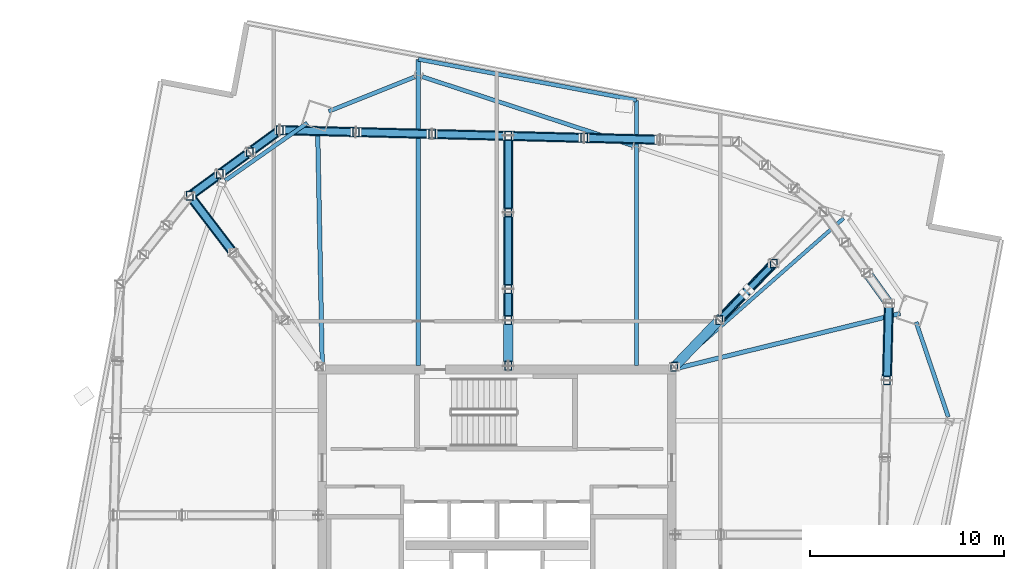
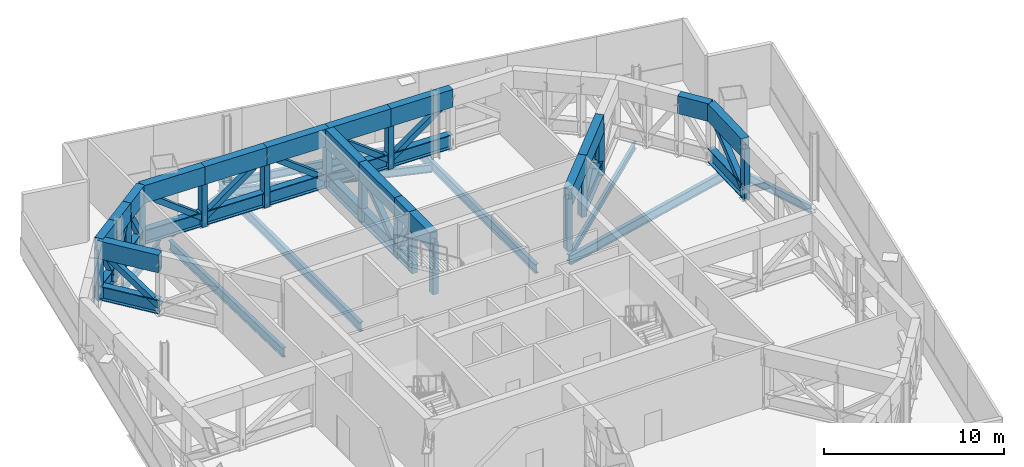
# One storey, part 4 of 15: 63 members, 10 beams.
"""IFC4 building model written with IfcOpenShell, lengths in metres."""

from ifc_helpers import new_model, si_unit, direction, frame, origin, origin_2d, place, context, subcontext, project, spatial, hollow_rectangle, hollow_circle, i_section, extrude, material, material_profile, profile_set, type_object, element, save


model = new_model("IFC4")

# Units and contexts
model_context = context("Model", 3, precision=1e-05, world=origin(), true_north=direction((0.0, 1.0)))
body_context = subcontext(model_context, "Body", "Model", "MODEL_VIEW")
ifc_project = project(units=[si_unit("LENGTHUNIT", "METRE"), si_unit("AREAUNIT", "SQUARE_METRE"), si_unit("VOLUMEUNIT", "CUBIC_METRE"), si_unit("PLANEANGLEUNIT", "RADIAN"), si_unit("MASSUNIT", "GRAM", prefix="KILO")], contexts=[model_context])

# Site, building, storey
site_placement = place(None, origin())
site = spatial("IfcSite", under=ifc_project, at=site_placement, CompositionType="ELEMENT")
building_placement = place(site_placement, origin())
building = spatial("IfcBuilding", under=site, at=building_placement, Name="Haldenkirk Collegiate Tower", CompositionType="ELEMENT")
storey_placement = place(building_placement, frame((0.0, 0.0, 293.699951171875)))
storey = spatial("IfcBuildingStorey", under=building, at=storey_placement, Name="L74", CompositionType="ELEMENT", Elevation=293.699951171875)

# Beams
ifc_material_1 = material(Name="Steel ASTM A992 Grade 50", Category="steel")
ifc_material_profile_1 = material_profile(ifc_material_1, i_section(OverallWidth=0.22998046875, OverallDepth=0.616943359375, WebThickness=0.01318359375, FlangeThickness=0.022216796875, at=origin_2d()), Name="W24X94")
ifc_profile_set_1 = profile_set([ifc_material_profile_1], Name="Steel ASTM A992 Grade 50")
beam_type_1 = type_object("IfcBeamType", Name="BM-GIRDER-W24X94", PredefinedType="BEAM", material=ifc_profile_set_1)
beam_1_placement = place(storey_placement, frame((56.783935546875, 36.893310546875, -0.718505859375), z_axis=(-0.971153636509, -0.238454637815, 0.0), x_axis=(0.238454637815, -0.971153636509, 0.0)))
element("IfcBeam", 1, at=beam_1_placement, inside=storey, type_object=beam_type_1, Name="L74 primary floor girder 02", PredefinedType="BEAM", context=body_context, shape_type="SweptSolid", body=[
    extrude(i_section(OverallWidth=0.22998046875, OverallDepth=0.616943359375, WebThickness=0.01318359375, FlangeThickness=0.022216796875, at=origin_2d()), origin(), (0.0, 0.0, 1.0), 11.9287109375),
])
beam_2_placement = place(storey_placement, frame((26.75732421875, 46.443603515625, -0.718505859375), z_axis=(0.019505953171, -0.999809740796, 0.0), x_axis=(0.999809740796, 0.019505953171, 0.0)))
element("IfcBeam", 2, at=beam_2_placement, inside=storey, type_object=beam_type_1, Name="L74 primary floor girder 03", PredefinedType="BEAM", context=body_context, shape_type="SweptSolid", body=[
    extrude(i_section(OverallWidth=0.22998046875, OverallDepth=0.616943359375, WebThickness=0.01318359375, FlangeThickness=0.022216796875, at=origin_2d()), origin(), (0.0, 0.0, 1.0), 12.240966796875),
])
beam_3_placement = place(storey_placement, frame((43.18994140625, 47.878173828125, -0.718505859375), z_axis=(0.0, -1.0, 0.0), x_axis=(1.0, 0.0, 0.0)))
element("IfcBeam", 3, at=beam_3_placement, inside=storey, type_object=beam_type_1, Name="L74 primary floor girder 09", PredefinedType="BEAM", context=body_context, shape_type="SweptSolid", body=[
    extrude(i_section(OverallWidth=0.22998046875, OverallDepth=0.616943359375, WebThickness=0.01318359375, FlangeThickness=0.022216796875, at=origin_2d()), origin(), (0.0, 0.0, 1.0), 13.673095703125),
])
beam_4_placement = place(storey_placement, frame((31.949462890625, 49.991943359375, -0.718505859375), z_axis=(0.0, -1.0, 0.0), x_axis=(1.0, 0.0, 0.0)))
element("IfcBeam", 4, at=beam_4_placement, inside=storey, type_object=beam_type_1, Name="L74 primary floor girder 10", PredefinedType="BEAM", context=body_context, shape_type="SweptSolid", body=[
    extrude(i_section(OverallWidth=0.22998046875, OverallDepth=0.616943359375, WebThickness=0.01318359375, FlangeThickness=0.022216796875, at=origin_2d()), origin(), (0.0, 0.0, 1.0), 15.786865234375),
])
ifc_material_profile_2 = material_profile(ifc_material_1, i_section(OverallWidth=0.18994140625, OverallDepth=0.45703125, WebThickness=0.009033203125, FlangeThickness=0.014404296875, at=origin_2d()), Name="W18X50")
ifc_profile_set_2 = profile_set([ifc_material_profile_2], Name="Steel ASTM A992 Grade 50")
beam_type_2 = type_object("IfcBeamType", Name="BM-JOIST-W18X50", PredefinedType="JOIST", material=ifc_profile_set_2)
beam_5_placement = place(storey_placement, frame((53.865966796875, 41.802734375, -0.638427734375), z_axis=(-0.750690564018, -0.660653976825, 0.0), x_axis=(0.660653976825, -0.750690564018, 0.0)))
element("IfcBeam", 5, at=beam_5_placement, inside=storey, type_object=beam_type_2, Name="L74 composite floor joist 08", PredefinedType="JOIST", context=body_context, shape_type="SweptSolid", body=[
    extrude(i_section(OverallWidth=0.18994140625, OverallDepth=0.45703125, WebThickness=0.009033203125, FlangeThickness=0.014404296875, at=origin_2d()), origin(), (0.0, 0.0, 1.0), 11.60546875),
])
ifc_material_profile_3 = material_profile(ifc_material_1, i_section(OverallWidth=0.2099609375, OverallDepth=0.537109375, WebThickness=0.010986328125, FlangeThickness=0.017333984375, at=origin_2d()), Name="W21X68")
ifc_profile_set_3 = profile_set([ifc_material_profile_3], Name="Steel ASTM A992 Grade 50")
beam_type_3 = type_object("IfcBeamType", Name="BM-SPANDREL-W21X68", PredefinedType="SPANDREL", material=ifc_profile_set_3)
beam_6_placement = place(storey_placement, frame((59.258544921875, 31.5517578125, -0.678466796875), z_axis=(-0.321225245884, 0.947002820168, 0.0), x_axis=(-0.947002820168, -0.321225245884, 0.0)))
element("IfcBeam", 6, at=beam_6_placement, inside=storey, type_object=beam_type_3, Name="L74 perimeter spandrel beam 04", PredefinedType="SPANDREL", context=body_context, shape_type="SweptSolid", body=[
    extrude(i_section(OverallWidth=0.2099609375, OverallDepth=0.537109375, WebThickness=0.010986328125, FlangeThickness=0.017333984375, at=origin_2d()), origin(), (0.0, 0.0, 1.0), 5.1689453125),
])
beam_7_placement = place(storey_placement, frame((42.99755859375, 45.54296875, -0.678466796875), z_axis=(-0.950408846531, 0.311003254701, 0.0), x_axis=(-0.311003254701, -0.950408846531, 0.0)))
element("IfcBeam", 7, at=beam_7_placement, inside=storey, type_object=beam_type_3, Name="L74 perimeter spandrel beam 07", PredefinedType="SPANDREL", context=body_context, shape_type="SweptSolid", body=[
    extrude(i_section(OverallWidth=0.2099609375, OverallDepth=0.537109375, WebThickness=0.010986328125, FlangeThickness=0.017333984375, at=origin_2d()), origin(), (0.0, 0.0, 1.0), 11.421875),
])
beam_8_placement = place(storey_placement, frame((31.761474609375, 49.0830078125, -0.678466796875), z_axis=(-0.928296709602, -0.371840313768, 0.0), x_axis=(0.371840313768, -0.928296709602, 0.0)))
element("IfcBeam", 8, at=beam_8_placement, inside=storey, type_object=beam_type_3, Name="L74 perimeter spandrel beam 08", PredefinedType="SPANDREL", context=body_context, shape_type="SweptSolid", body=[
    extrude(i_section(OverallWidth=0.2099609375, OverallDepth=0.537109375, WebThickness=0.010986328125, FlangeThickness=0.017333984375, at=origin_2d()), origin(), (0.0, 0.0, 1.0), 4.77392578125),
])
beam_9_placement = place(storey_placement, frame((26.22900390625, 46.7119140625, -0.678466796875), z_axis=(-0.818927819185, -0.573896529842, 0.0), x_axis=(0.573896529842, -0.818927819185, 0.0)))
element("IfcBeam", 9, at=beam_9_placement, inside=storey, type_object=beam_type_3, Name="L74 perimeter spandrel beam 09", PredefinedType="SPANDREL", context=body_context, shape_type="SweptSolid", body=[
    extrude(i_section(OverallWidth=0.2099609375, OverallDepth=0.537109375, WebThickness=0.010986328125, FlangeThickness=0.017333984375, at=origin_2d()), origin(), (0.0, 0.0, 1.0), 5.169189453125),
])
beam_10_placement = place(storey_placement, frame((43.18994140625, 47.878173828125, -0.678466796875), z_axis=(-0.982774180636, 0.184810470145, 0.0), x_axis=(-0.184810470145, -0.982774180636, 0.0)))
element("IfcBeam", 10, at=beam_10_placement, inside=storey, type_object=beam_type_3, Name="L74 outer facade edge beam 2", PredefinedType="SPANDREL", context=body_context, shape_type="SweptSolid", body=[
    extrude(i_section(OverallWidth=0.2099609375, OverallDepth=0.537109375, WebThickness=0.010986328125, FlangeThickness=0.017333984375, at=origin_2d()), origin(), (0.0, 0.0, 1.0), 11.4375),
])

# Members
ifc_material_2 = material(Name="Steel ASTM A572 Grade 50", Category="steel")
ifc_material_profile_4 = material_profile(ifc_material_2, hollow_rectangle(XDim=0.5, YDim=1.199951171875, WallThickness=0.050048828125, at=origin_2d()), Name="BOX1200X500X50")
ifc_profile_set_4 = profile_set([ifc_material_profile_4], Name="Steel ASTM A572 Grade 50")
member_type_1 = type_object("IfcMemberType", Name="MBR-CHORD-BOX1200", PredefinedType="CHORD", material=ifc_profile_set_4)
member_1_placement = place(storey_placement, frame((45.138671875, 34.144287109375, 3.5), z_axis=(0.692918596735, 0.721015823889, 0.0), x_axis=(-0.721015823889, 0.692918596735, 0.0)))
element("IfcMember", 11, at=member_1_placement, inside=storey, type_object=member_type_1, Name="Outrigger Truss L74 Radial 02 top chord 1", PredefinedType="CHORD", context=body_context, shape_type="SweptSolid", body=[
    extrude(hollow_rectangle(XDim=0.5, YDim=1.199951171875, WallThickness=0.050048828125, at=origin_2d()), origin(), (0.0, 0.0, 1.0), 3.336669921875),
])
member_2_placement = place(storey_placement, frame((47.45068359375, 36.550048828125, 3.5), z_axis=(0.692942331395, 0.720993013392, 0.0), x_axis=(-0.720993013392, 0.692942331395, 0.0)))
element("IfcMember", 12, at=member_2_placement, inside=storey, type_object=member_type_1, Name="Outrigger Truss L74 Radial 02 top chord 2", PredefinedType="CHORD", context=body_context, shape_type="SweptSolid", body=[
    extrude(hollow_rectangle(XDim=0.5, YDim=1.199951171875, WallThickness=0.050048828125, at=origin_2d()), origin(), (0.0, 0.0, 1.0), 4.047119140625),
])
member_3_placement = place(storey_placement, frame((22.408935546875, 40.023681640625, 3.5), z_axis=(-0.606190849129, 0.79531921543, 0.0), x_axis=(-0.79531921543, -0.606190849129, 0.0)))
element("IfcMember", 13, at=member_3_placement, inside=storey, type_object=member_type_1, Name="Outrigger Truss L74 Radial 03 top chord 3", PredefinedType="CHORD", context=body_context, shape_type="SweptSolid", body=[
    extrude(hollow_rectangle(XDim=0.5, YDim=1.199951171875, WallThickness=0.050048828125, at=origin_2d()), origin(), (0.0, 0.0, 1.0), 3.686767578125),
])
member_4_placement = place(storey_placement, frame((36.582275390625, 34.199951171875, 3.5), z_axis=(0.0, 1.0, 0.0), x_axis=(-1.0, 0.0, 0.0)))
element("IfcMember", 14, at=member_4_placement, inside=storey, type_object=member_type_1, Name="Outrigger Truss L74 Radial 06 top chord 1", PredefinedType="CHORD", context=body_context, shape_type="SweptSolid", body=[
    extrude(hollow_rectangle(XDim=0.5, YDim=1.199951171875, WallThickness=0.050048828125, at=origin_2d()), origin(), (0.0, 0.0, 1.0), 2.35009765625),
])
member_5_placement = place(storey_placement, frame((36.582275390625, 36.550048828125, 3.5), z_axis=(0.0, 1.0, 0.0), x_axis=(-1.0, 0.0, 0.0)))
element("IfcMember", 15, at=member_5_placement, inside=storey, type_object=member_type_1, Name="Outrigger Truss L74 Radial 06 top chord 2", PredefinedType="CHORD", context=body_context, shape_type="SweptSolid", body=[
    extrude(hollow_rectangle(XDim=0.5, YDim=1.199951171875, WallThickness=0.050048828125, at=origin_2d()), origin(), (0.0, 0.0, 1.0), 1.59716796875),
])
for number, where, z_axis, x_axis, name in (
    (16, (36.582275390625, 38.147216796875, 3.5), (0.0, 1.0, 0.0), (-1.0, 0.0, 0.0), "Outrigger Truss L74 Radial 06 top chord 3"),
    (17, (36.582275390625, 42.094482421875, 3.5), (0.0, 1.0, 0.0), (-1.0, 0.0, 0.0), "Outrigger Truss L74 Radial 06 top chord 4"),
):
    element("IfcMember", number, at=place(storey_placement, frame(where, z_axis=z_axis, x_axis=x_axis)), inside=storey, type_object=member_type_1, Name=name, PredefinedType="CHORD", context=body_context, shape_type="SweptSolid", body=[
        extrude(hollow_rectangle(XDim=0.5, YDim=1.199951171875, WallThickness=0.050048828125, at=origin_2d()), origin(), (0.0, 0.0, 1.0), 3.947265625),
    ])
member_6_placement = place(storey_placement, frame((56.0947265625, 33.43798828125, 3.5), z_axis=(0.02532389763, 0.99967929868, 0.0), x_axis=(-0.99967929868, 0.02532389763, 0.0)))
element("IfcMember", 18, at=member_6_placement, inside=storey, type_object=member_type_1, Name="Belt Truss L74-03 top chord 3", PredefinedType="CHORD", context=body_context, shape_type="SweptSolid", body=[
    extrude(hollow_rectangle(XDim=0.5, YDim=1.199951171875, WallThickness=0.050048828125, at=origin_2d()), origin(), (0.0, 0.0, 1.0), 3.971923828125),
])
member_7_placement = place(storey_placement, frame((56.1953125, 37.40869140625, 3.5), z_axis=(-0.582299499263, 0.812974349631, 0.0), x_axis=(-0.812974349631, -0.582299499263, 0.0)))
element("IfcMember", 19, at=member_7_placement, inside=storey, type_object=member_type_1, Name="Belt Truss L74-04 top chord 1", PredefinedType="CHORD", context=body_context, shape_type="SweptSolid", body=[
    extrude(hollow_rectangle(XDim=0.5, YDim=1.199951171875, WallThickness=0.050048828125, at=origin_2d()), origin(), (0.0, 0.0, 1.0), 1.935791015625),
])
member_8_placement = place(storey_placement, frame((44.40185546875, 45.84375, 3.5), z_axis=(-0.999680351897, 0.025282286906, 0.0), x_axis=(-0.025282286906, -0.999680351897, 0.0)))
element("IfcMember", 20, at=member_8_placement, inside=storey, type_object=member_type_1, Name="Belt Truss L74-06 top chord 2", PredefinedType="CHORD", context=body_context, shape_type="SweptSolid", body=[
    extrude(hollow_rectangle(XDim=0.5, YDim=1.199951171875, WallThickness=0.050048828125, at=origin_2d()), origin(), (0.0, 0.0, 1.0), 3.910888671875),
])
member_9_placement = place(storey_placement, frame((40.4921875, 45.942626953125, 3.5), z_axis=(-0.999678812296, 0.025343090714, 0.0), x_axis=(-0.025343090714, -0.999678812296, 0.0)))
element("IfcMember", 21, at=member_9_placement, inside=storey, type_object=member_type_1, Name="Belt Truss L74-06 top chord 3", PredefinedType="CHORD", context=body_context, shape_type="SweptSolid", body=[
    extrude(hollow_rectangle(XDim=0.5, YDim=1.199951171875, WallThickness=0.050048828125, at=origin_2d()), origin(), (0.0, 0.0, 1.0), 3.9111328125),
])
member_10_placement = place(storey_placement, frame((36.582275390625, 46.041748046875, 3.5), z_axis=(-0.999679473326, 0.025317002405, 0.0), x_axis=(-0.025317002405, -0.999679473326, 0.0)))
element("IfcMember", 22, at=member_10_placement, inside=storey, type_object=member_type_1, Name="Belt Truss L74-07 top chord 1", PredefinedType="CHORD", context=body_context, shape_type="SweptSolid", body=[
    extrude(hollow_rectangle(XDim=0.5, YDim=1.199951171875, WallThickness=0.050048828125, at=origin_2d()), origin(), (0.0, 0.0, 1.0), 3.9248046875),
])
for number, where, z_axis, x_axis, name in (
    (23, (32.65869140625, 46.14111328125, 3.5), (-0.999681085379, 0.025253267836, 0.0), (-0.025253267836, -0.999681085379, 0.0), "Belt Truss L74-07 top chord 2"),
    (24, (28.73486328125, 46.240234375, 3.5), (-0.999679513192, 0.02531542819, 0.0), (-0.02531542819, -0.999679513192, 0.0), "Belt Truss L74-07 top chord 3"),
):
    element("IfcMember", number, at=place(storey_placement, frame(where, z_axis=z_axis, x_axis=x_axis)), inside=storey, type_object=member_type_1, Name=name, PredefinedType="CHORD", context=body_context, shape_type="SweptSolid", body=[
        extrude(hollow_rectangle(XDim=0.5, YDim=1.199951171875, WallThickness=0.050048828125, at=origin_2d()), origin(), (0.0, 0.0, 1.0), 3.925048828125),
    ])
for number, where, z_axis, x_axis, name in (
    (25, (24.81103515625, 46.339599609375, 3.5), (-0.807786021727, -0.589475820625, 0.0), (0.589475820625, -0.807786021727, 0.0), "Belt Truss L74-08 top chord 1"),
    (26, (23.265380859375, 45.211669921875, 3.5), (-0.807786021727, -0.589475820625, 0.0), (0.589475820625, -0.807786021727, 0.0), "Belt Truss L74-08 top chord 2"),
    (27, (21.7197265625, 44.083740234375, 3.5), (-0.807786021727, -0.589475820625, 0.0), (0.589475820625, -0.807786021727, 0.0), "Belt Truss L74-08 top chord 3"),
):
    element("IfcMember", number, at=place(storey_placement, frame(where, z_axis=z_axis, x_axis=x_axis)), inside=storey, type_object=member_type_1, Name=name, PredefinedType="CHORD", context=body_context, shape_type="SweptSolid", body=[
        extrude(hollow_rectangle(XDim=0.5, YDim=1.199951171875, WallThickness=0.050048828125, at=origin_2d()), origin(), (0.0, 0.0, 1.0), 1.913330078125),
    ])
ifc_material_3 = material(Name="Steel ASTM A913 Grade 65", Category="steel")
ifc_material_profile_5 = material_profile(ifc_material_3, i_section(OverallWidth=0.423095703125, OverallDepth=0.947998046875, WebThickness=0.02392578125, FlangeThickness=0.042724609375, at=origin_2d()), Name="W36X302")
ifc_profile_set_5 = profile_set([ifc_material_profile_5], Name="Steel ASTM A913 Grade 65")
member_type_2 = type_object("IfcMemberType", Name="MBR-CHORD-W36X302", PredefinedType="CHORD", material=ifc_profile_set_5)
member_11_placement = place(storey_placement, frame((47.45068359375, 36.550048828125, 0.550048828125), z_axis=(0.692942331395, 0.720993013392, 0.0), x_axis=(-0.720993013392, 0.692942331395, 0.0)))
element("IfcMember", 28, at=member_11_placement, inside=storey, type_object=member_type_2, Name="Outrigger Truss L74 Radial 02 bottom chord 2", PredefinedType="CHORD", context=body_context, shape_type="SweptSolid", body=[
    extrude(i_section(OverallWidth=0.423095703125, OverallDepth=0.947998046875, WebThickness=0.02392578125, FlangeThickness=0.042724609375, at=origin_2d()), origin(), (0.0, 0.0, 1.0), 4.047119140625),
])
member_12_placement = place(storey_placement, frame((22.408935546875, 40.023681640625, 0.550048828125), z_axis=(-0.606190849129, 0.79531921543, 0.0), x_axis=(-0.79531921543, -0.606190849129, 0.0)))
element("IfcMember", 29, at=member_12_placement, inside=storey, type_object=member_type_2, Name="Outrigger Truss L74 Radial 03 bottom chord 3", PredefinedType="CHORD", context=body_context, shape_type="SweptSolid", body=[
    extrude(i_section(OverallWidth=0.423095703125, OverallDepth=0.947998046875, WebThickness=0.02392578125, FlangeThickness=0.042724609375, at=origin_2d()), origin(), (0.0, 0.0, 1.0), 3.686767578125),
])
member_13_placement = place(storey_placement, frame((36.582275390625, 36.550048828125, 0.550048828125), z_axis=(0.0, 1.0, 0.0), x_axis=(-1.0, 0.0, 0.0)))
element("IfcMember", 30, at=member_13_placement, inside=storey, type_object=member_type_2, Name="Outrigger Truss L74 Radial 06 bottom chord 2", PredefinedType="CHORD", context=body_context, shape_type="SweptSolid", body=[
    extrude(i_section(OverallWidth=0.423095703125, OverallDepth=0.947998046875, WebThickness=0.02392578125, FlangeThickness=0.042724609375, at=origin_2d()), origin(), (0.0, 0.0, 1.0), 1.59716796875),
])
for number, where, z_axis, x_axis, name in (
    (31, (36.582275390625, 38.147216796875, 0.550048828125), (0.0, 1.0, 0.0), (-1.0, 0.0, 0.0), "Outrigger Truss L74 Radial 06 bottom chord 3"),
    (32, (36.582275390625, 42.094482421875, 0.550048828125), (0.0, 1.0, 0.0), (-1.0, 0.0, 0.0), "Outrigger Truss L74 Radial 06 bottom chord 4"),
):
    element("IfcMember", number, at=place(storey_placement, frame(where, z_axis=z_axis, x_axis=x_axis)), inside=storey, type_object=member_type_2, Name=name, PredefinedType="CHORD", context=body_context, shape_type="SweptSolid", body=[
        extrude(i_section(OverallWidth=0.423095703125, OverallDepth=0.947998046875, WebThickness=0.02392578125, FlangeThickness=0.042724609375, at=origin_2d()), origin(), (0.0, 0.0, 1.0), 3.947265625),
    ])
member_14_placement = place(storey_placement, frame((56.0947265625, 33.43798828125, 0.550048828125), z_axis=(0.02532389763, 0.99967929868, 0.0), x_axis=(-0.99967929868, 0.02532389763, 0.0)))
element("IfcMember", 33, at=member_14_placement, inside=storey, type_object=member_type_2, Name="Belt Truss L74-03 bottom chord 3", PredefinedType="CHORD", context=body_context, shape_type="SweptSolid", body=[
    extrude(i_section(OverallWidth=0.423095703125, OverallDepth=0.947998046875, WebThickness=0.02392578125, FlangeThickness=0.042724609375, at=origin_2d()), origin(), (0.0, 0.0, 1.0), 3.971923828125),
])
member_15_placement = place(storey_placement, frame((44.40185546875, 45.84375, 0.550048828125), z_axis=(-0.999680351897, 0.025282286906, 0.0), x_axis=(-0.025282286906, -0.999680351897, 0.0)))
element("IfcMember", 34, at=member_15_placement, inside=storey, type_object=member_type_2, Name="Belt Truss L74-06 bottom chord 2", PredefinedType="CHORD", context=body_context, shape_type="SweptSolid", body=[
    extrude(i_section(OverallWidth=0.423095703125, OverallDepth=0.947998046875, WebThickness=0.02392578125, FlangeThickness=0.042724609375, at=origin_2d()), origin(), (0.0, 0.0, 1.0), 3.910888671875),
])
member_16_placement = place(storey_placement, frame((40.4921875, 45.942626953125, 0.550048828125), z_axis=(-0.999678812296, 0.025343090714, 0.0), x_axis=(-0.025343090714, -0.999678812296, 0.0)))
element("IfcMember", 35, at=member_16_placement, inside=storey, type_object=member_type_2, Name="Belt Truss L74-06 bottom chord 3", PredefinedType="CHORD", context=body_context, shape_type="SweptSolid", body=[
    extrude(i_section(OverallWidth=0.423095703125, OverallDepth=0.947998046875, WebThickness=0.02392578125, FlangeThickness=0.042724609375, at=origin_2d()), origin(), (0.0, 0.0, 1.0), 3.9111328125),
])
member_17_placement = place(storey_placement, frame((36.582275390625, 46.041748046875, 0.550048828125), z_axis=(-0.999679473326, 0.025317002405, 0.0), x_axis=(-0.025317002405, -0.999679473326, 0.0)))
element("IfcMember", 36, at=member_17_placement, inside=storey, type_object=member_type_2, Name="Belt Truss L74-07 bottom chord 1", PredefinedType="CHORD", context=body_context, shape_type="SweptSolid", body=[
    extrude(i_section(OverallWidth=0.423095703125, OverallDepth=0.947998046875, WebThickness=0.02392578125, FlangeThickness=0.042724609375, at=origin_2d()), origin(), (0.0, 0.0, 1.0), 3.9248046875),
])
for number, where, z_axis, x_axis, name in (
    (37, (32.65869140625, 46.14111328125, 0.550048828125), (-0.999681085379, 0.025253267836, 0.0), (-0.025253267836, -0.999681085379, 0.0), "Belt Truss L74-07 bottom chord 2"),
    (38, (28.73486328125, 46.240234375, 0.550048828125), (-0.999679513192, 0.02531542819, 0.0), (-0.02531542819, -0.999679513192, 0.0), "Belt Truss L74-07 bottom chord 3"),
):
    element("IfcMember", number, at=place(storey_placement, frame(where, z_axis=z_axis, x_axis=x_axis)), inside=storey, type_object=member_type_2, Name=name, PredefinedType="CHORD", context=body_context, shape_type="SweptSolid", body=[
        extrude(i_section(OverallWidth=0.423095703125, OverallDepth=0.947998046875, WebThickness=0.02392578125, FlangeThickness=0.042724609375, at=origin_2d()), origin(), (0.0, 0.0, 1.0), 3.925048828125),
    ])
for number, where, z_axis, x_axis, name in (
    (39, (24.81103515625, 46.339599609375, 0.550048828125), (-0.807786021727, -0.589475820625, 0.0), (0.589475820625, -0.807786021727, 0.0), "Belt Truss L74-08 bottom chord 1"),
    (40, (23.265380859375, 45.211669921875, 0.550048828125), (-0.807786021727, -0.589475820625, 0.0), (0.589475820625, -0.807786021727, 0.0), "Belt Truss L74-08 bottom chord 2"),
    (41, (21.7197265625, 44.083740234375, 0.550048828125), (-0.807786021727, -0.589475820625, 0.0), (0.589475820625, -0.807786021727, 0.0), "Belt Truss L74-08 bottom chord 3"),
):
    element("IfcMember", number, at=place(storey_placement, frame(where, z_axis=z_axis, x_axis=x_axis)), inside=storey, type_object=member_type_2, Name=name, PredefinedType="CHORD", context=body_context, shape_type="SweptSolid", body=[
        extrude(i_section(OverallWidth=0.423095703125, OverallDepth=0.947998046875, WebThickness=0.02392578125, FlangeThickness=0.042724609375, at=origin_2d()), origin(), (0.0, 0.0, 1.0), 1.913330078125),
    ])
ifc_material_profile_6 = material_profile(ifc_material_2, hollow_circle(Radius=0.136474609375, WallThickness=0.011962890625, at=origin_2d()), Name="CHS273X12")
ifc_profile_set_6 = profile_set([ifc_material_profile_6], Name="Steel ASTM A572 Grade 50")
member_type_3 = type_object("IfcMemberType", Name="MBR-STRUT-CHS273", PredefinedType="STRUT", material=ifc_profile_set_6)
member_18_placement = place(storey_placement, frame((47.45068359375, 36.550048828125, 0.550048828125), z_axis=(0.559998050222, 0.582643840815, 0.5890062296), x_axis=(-0.7209792078, 0.692956695559, 0.0)))
element("IfcMember", 42, at=member_18_placement, inside=storey, type_object=member_type_3, Name="Outrigger Truss L74 Radial 02 split X-brace diagonal 2A", PredefinedType="STRUT", context=body_context, shape_type="SweptSolid", body=[
    extrude(hollow_circle(Radius=0.136474609375, WallThickness=0.011962890625, at=origin_2d()), origin(), (0.0, 0.0, 1.0), 2.263916015625),
])
member_19_placement = place(storey_placement, frame((48.9873046875, 38.148681640625, 2.16650390625), z_axis=(0.559962865257, 0.582715063326, 0.588969222036), x_axis=(-0.721043275228, 0.692890031136, 0.0)))
element("IfcMember", 43, at=member_19_placement, inside=storey, type_object=member_type_3, Name="Outrigger Truss L74 Radial 02 split X-brace diagonal 2B", PredefinedType="STRUT", context=body_context, shape_type="SweptSolid", body=[
    extrude(hollow_circle(Radius=0.136474609375, WallThickness=0.011962890625, at=origin_2d()), origin(), (0.0, 0.0, 1.0), 2.26416015625),
])
ifc_material_profile_7 = material_profile(ifc_material_2, hollow_rectangle(XDim=0.35009765625, YDim=0.35009765625, WallThickness=0.01611328125, at=origin_2d()), Name="HSS350X350X16")
ifc_profile_set_7 = profile_set([ifc_material_profile_7], Name="Steel ASTM A572 Grade 50")
member_type_4 = type_object("IfcMemberType", Name="MBR-TRUSSDIAG-HSS350X350X16", PredefinedType="BRACE", material=ifc_profile_set_7)
member_20_placement = place(storey_placement, frame((47.45068359375, 36.550048828125, 3.5), z_axis=(0.559974910082, 0.582642998633, -0.58902906229), x_axis=(-0.720993013392, 0.692942331395, 0.0)))
element("IfcMember", 44, at=member_20_placement, inside=storey, type_object=member_type_4, Name="Outrigger Truss L74 Radial 02 web diagonal 2", PredefinedType="BRACE", context=body_context, shape_type="SweptSolid", body=[
    extrude(hollow_rectangle(XDim=0.35009765625, YDim=0.35009765625, WallThickness=0.01611328125, at=origin_2d()), origin(), (0.0, 0.0, 1.0), 5.008056640625),
])
member_21_placement = place(storey_placement, frame((22.408935546875, 40.023681640625, 0.550048828125), z_axis=(-0.47332011127, 0.62099350408, 0.624768069093), x_axis=(-0.79531921543, -0.606190849129, 0.0)))
element("IfcMember", 45, at=member_21_placement, inside=storey, type_object=member_type_4, Name="Outrigger Truss L74 Radial 03 web diagonal 3", PredefinedType="BRACE", context=body_context, shape_type="SweptSolid", body=[
    extrude(hollow_rectangle(XDim=0.35009765625, YDim=0.35009765625, WallThickness=0.01611328125, at=origin_2d()), origin(), (0.0, 0.0, 1.0), 4.7216796875),
])
member_22_placement = place(storey_placement, frame((36.582275390625, 36.550048828125, 3.5), z_axis=(0.0, 0.476116677598, -0.879382117918), x_axis=(-1.0, 0.0, 0.0)))
element("IfcMember", 46, at=member_22_placement, inside=storey, type_object=member_type_4, Name="Outrigger Truss L74 Radial 06 web diagonal 2", PredefinedType="BRACE", context=body_context, shape_type="SweptSolid", body=[
    extrude(hollow_rectangle(XDim=0.35009765625, YDim=0.35009765625, WallThickness=0.01611328125, at=origin_2d()), origin(), (0.0, 0.0, 1.0), 3.3544921875),
])
for number, where, z_axis, x_axis, name in (
    (47, (36.582275390625, 38.147216796875, 0.550048828125), (0.0, 0.801021418677, 0.598635687894), (-1.0, 0.0, 0.0), "Outrigger Truss L74 Radial 06 web diagonal 3"),
    (48, (36.582275390625, 42.094482421875, 3.5), (0.0, 0.801021418677, -0.598635687894), (-1.0, 0.0, 0.0), "Outrigger Truss L74 Radial 06 web diagonal 4"),
):
    element("IfcMember", number, at=place(storey_placement, frame(where, z_axis=z_axis, x_axis=x_axis)), inside=storey, type_object=member_type_4, Name=name, PredefinedType="BRACE", context=body_context, shape_type="SweptSolid", body=[
        extrude(hollow_rectangle(XDim=0.35009765625, YDim=0.35009765625, WallThickness=0.01611328125, at=origin_2d()), origin(), (0.0, 0.0, 1.0), 4.927734375),
    ])
member_23_placement = place(storey_placement, frame((56.0947265625, 33.43798828125, 0.550048828125), z_axis=(0.020330220684, 0.802550265066, 0.596238001279), x_axis=(-0.99967929868, 0.02532389763, 0.0)))
element("IfcMember", 49, at=member_23_placement, inside=storey, type_object=member_type_4, Name="Belt Truss L74-03 web diagonal 3", PredefinedType="BRACE", context=body_context, shape_type="SweptSolid", body=[
    extrude(hollow_rectangle(XDim=0.35009765625, YDim=0.35009765625, WallThickness=0.01611328125, at=origin_2d()), origin(), (0.0, 0.0, 1.0), 4.947509765625),
])
member_24_placement = place(storey_placement, frame((44.40185546875, 45.84375, 3.5), z_axis=(-0.798099330813, 0.020184228112, -0.602187724129), x_axis=(-0.025282286906, -0.999680351897, 0.0)))
element("IfcMember", 50, at=member_24_placement, inside=storey, type_object=member_type_4, Name="Belt Truss L74-06 web diagonal 2", PredefinedType="BRACE", context=body_context, shape_type="SweptSolid", body=[
    extrude(hollow_rectangle(XDim=0.35009765625, YDim=0.35009765625, WallThickness=0.01611328125, at=origin_2d()), origin(), (0.0, 0.0, 1.0), 4.898681640625),
])
member_25_placement = place(storey_placement, frame((40.4921875, 45.942626953125, 0.550048828125), z_axis=(-0.79811661887, 0.020233240541, 0.602163166144), x_axis=(-0.025343090714, -0.999678812296, 0.0)))
element("IfcMember", 51, at=member_25_placement, inside=storey, type_object=member_type_4, Name="Belt Truss L74-06 web diagonal 3", PredefinedType="BRACE", context=body_context, shape_type="SweptSolid", body=[
    extrude(hollow_rectangle(XDim=0.35009765625, YDim=0.35009765625, WallThickness=0.01611328125, at=origin_2d()), origin(), (0.0, 0.0, 1.0), 4.89892578125),
])
member_26_placement = place(storey_placement, frame((36.582275390625, 46.041748046875, 0.550048828125), z_axis=(-0.799125524444, 0.020237949627, 0.600823452919), x_axis=(-0.025317002405, -0.999679473326, 0.0)))
element("IfcMember", 52, at=member_26_placement, inside=storey, type_object=member_type_4, Name="Belt Truss L74-07 web diagonal 1", PredefinedType="BRACE", context=body_context, shape_type="SweptSolid", body=[
    extrude(hollow_rectangle(XDim=0.35009765625, YDim=0.35009765625, WallThickness=0.01611328125, at=origin_2d()), origin(), (0.0, 0.0, 1.0), 4.909912109375),
])
for number, where, z_axis, x_axis, name in (
    (53, (32.65869140625, 46.14111328125, 3.5), (-0.799144296945, 0.020187443041, -0.600800182926), (-0.025253267836, -0.999681085379, 0.0), "Belt Truss L74-07 web diagonal 2"),
    (54, (28.73486328125, 46.240234375, 0.550048828125), (-0.799143493797, 0.020237145469, 0.600799579116), (-0.02531542819, -0.999679513192, 0.0), "Belt Truss L74-07 web diagonal 3"),
):
    element("IfcMember", number, at=place(storey_placement, frame(where, z_axis=z_axis, x_axis=x_axis)), inside=storey, type_object=member_type_4, Name=name, PredefinedType="BRACE", context=body_context, shape_type="SweptSolid", body=[
        extrude(hollow_rectangle(XDim=0.35009765625, YDim=0.35009765625, WallThickness=0.01611328125, at=origin_2d()), origin(), (0.0, 0.0, 1.0), 4.91015625),
    ])
for number, where, z_axis, x_axis, name in (
    (55, (24.81103515625, 46.339599609375, 0.550048828125), (-0.439584045146, -0.320783176209, 0.838966042885), (0.589475820625, -0.807786021727, 0.0), "Belt Truss L74-08 web diagonal 1"),
    (56, (23.265380859375, 45.211669921875, 3.5), (-0.439584045146, -0.320783176209, -0.838966042885), (0.589475820625, -0.807786021727, 0.0), "Belt Truss L74-08 web diagonal 2"),
    (57, (21.7197265625, 44.083740234375, 0.550048828125), (-0.439584045146, -0.320783176209, 0.838966042885), (0.589475820625, -0.807786021727, 0.0), "Belt Truss L74-08 web diagonal 3"),
):
    element("IfcMember", number, at=place(storey_placement, frame(where, z_axis=z_axis, x_axis=x_axis)), inside=storey, type_object=member_type_4, Name=name, PredefinedType="BRACE", context=body_context, shape_type="SweptSolid", body=[
        extrude(hollow_rectangle(XDim=0.35009765625, YDim=0.35009765625, WallThickness=0.01611328125, at=origin_2d()), origin(), (0.0, 0.0, 1.0), 3.51611328125),
    ])
ifc_material_profile_8 = material_profile(ifc_material_2, hollow_rectangle(XDim=0.35009765625, YDim=0.449951171875, WallThickness=0.02197265625, at=origin_2d()), Name="HSS450X350X22")
ifc_profile_set_8 = profile_set([ifc_material_profile_8], Name="Steel ASTM A572 Grade 50")
member_type_5 = type_object("IfcMemberType", Name="MBR-TRUSSPOST-HSS450X350X22", PredefinedType="POST", material=ifc_profile_set_8)
for number, where, z_axis, x_axis, name in (
    (58, (45.138671875, 34.144287109375, 0.0), (0.0, 0.0, 1.0), (1.0, 0.0, 0.0), "Outrigger Truss L74 Radial 02 vertical post 1"),
    (59, (47.45068359375, 36.550048828125, 0.0), (0.0, 0.0, 1.0), (1.0, 0.0, 0.0), "Outrigger Truss L74 Radial 02 vertical post 2"),
    (60, (50.255126953125, 39.468017578125, 0.0), (0.0, 0.0, 1.0), (1.0, 0.0, 0.0), "Outrigger Truss L74 Radial 02 vertical post 3"),
    (61, (20.174072265625, 42.955810546875, 0.0), (0.0, 0.0, 1.0), (1.0, 0.0, 0.0), "Outrigger Truss L74 Radial 03 vertical post 4"),
    (62, (36.582275390625, 34.199951171875, 0.0), (0.0, 0.0, 1.0), (1.0, 0.0, 0.0), "Outrigger Truss L74 Radial 06 vertical post 1"),
    (63, (36.582275390625, 36.550048828125, 0.0), (0.0, 0.0, 1.0), (1.0, 0.0, 0.0), "Outrigger Truss L74 Radial 06 vertical post 2"),
    (64, (36.582275390625, 38.147216796875, 0.0), (0.0, 0.0, 1.0), (1.0, 0.0, 0.0), "Outrigger Truss L74 Radial 06 vertical post 3"),
    (65, (36.582275390625, 42.094482421875, 0.0), (0.0, 0.0, 1.0), (1.0, 0.0, 0.0), "Outrigger Truss L74 Radial 06 vertical post 4"),
    (66, (36.582275390625, 46.041748046875, 0.0), (0.0, 0.0, 1.0), (1.0, 0.0, 0.0), "Outrigger Truss L74 Radial 06 vertical post 5"),
    (67, (56.0947265625, 33.43798828125, 0.0), (0.0, 0.0, 1.0), (1.0, 0.0, 0.0), "Belt Truss L74-03 vertical post 3"),
    (68, (40.4921875, 45.942626953125, 0.0), (0.0, 0.0, 1.0), (1.0, 0.0, 0.0), "Belt Truss L74-06 vertical post 3"),
    (69, (32.65869140625, 46.14111328125, 0.0), (0.0, 0.0, 1.0), (1.0, 0.0, 0.0), "Belt Truss L74-07 vertical post 2"),
    (70, (28.73486328125, 46.240234375, 0.0), (0.0, 0.0, 1.0), (1.0, 0.0, 0.0), "Belt Truss L74-07 vertical post 3"),
    (71, (24.81103515625, 46.339599609375, 0.0), (0.0, 0.0, 1.0), (1.0, 0.0, 0.0), "Belt Truss L74-07 vertical post 4"),
    (72, (23.265380859375, 45.211669921875, 0.0), (0.0, 0.0, 1.0), (1.0, 0.0, 0.0), "Belt Truss L74-08 vertical post 2"),
    (73, (21.7197265625, 44.083740234375, 0.0), (0.0, 0.0, 1.0), (1.0, 0.0, 0.0), "Belt Truss L74-08 vertical post 3"),
):
    element("IfcMember", number, at=place(storey_placement, frame(where, z_axis=z_axis, x_axis=x_axis)), inside=storey, type_object=member_type_5, Name=name, PredefinedType="POST", context=body_context, shape_type="SweptSolid", body=[
        extrude(hollow_rectangle(XDim=0.35009765625, YDim=0.449951171875, WallThickness=0.02197265625, at=origin_2d()), origin(), (0.0, 0.0, 1.0), 3.5),
    ])

save(model, "model.ifc")
